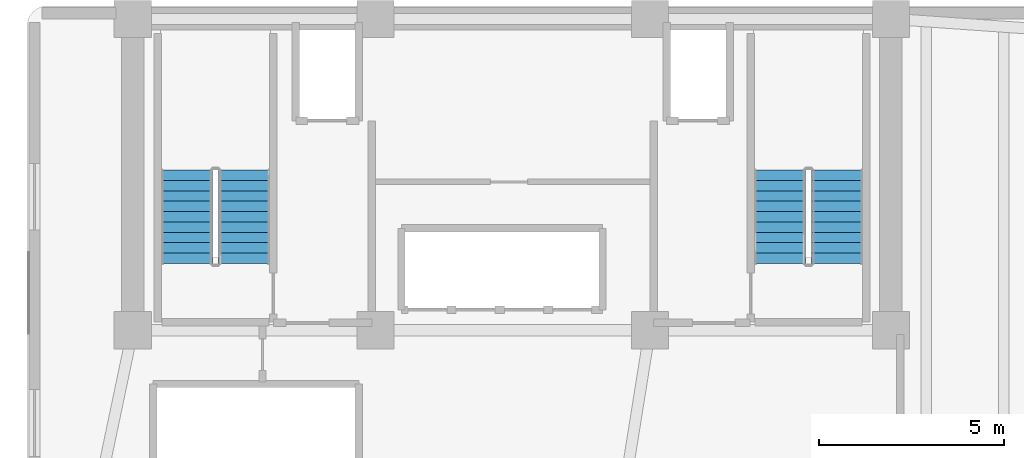
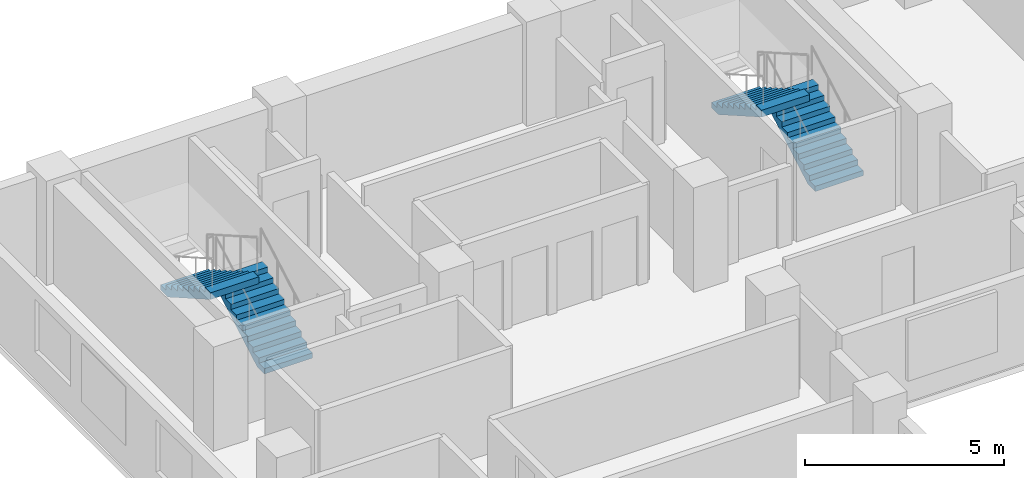
# One storey, part 5 of 7: 4 stair flights, 2 elements without a shape of their own.
"""IFC4 building model written with IfcOpenShell, lengths in metres."""

from ifc_helpers import new_model, si_unit, direction, frame, origin, place, context, subcontext, project, spatial, polyline, outline, extrude, material, type_object, element, aggregate, save


model = new_model("IFC4")

# Units and contexts
model_context = context("Model", 3, precision=1e-05, world=origin(), true_north=direction((0.0, 1.0)))
body_context = subcontext(model_context, "Body", "Model", "MODEL_VIEW")
ifc_project = project(units=[si_unit("LENGTHUNIT", "METRE"), si_unit("AREAUNIT", "SQUARE_METRE"), si_unit("VOLUMEUNIT", "CUBIC_METRE"), si_unit("PLANEANGLEUNIT", "RADIAN"), si_unit("MASSUNIT", "GRAM", prefix="KILO")], contexts=[model_context])

# Site, building, storey
site_placement = place(None, origin())
site = spatial("IfcSite", under=ifc_project, at=site_placement, CompositionType="ELEMENT")
building_placement = place(site_placement, origin())
building = spatial("IfcBuilding", under=site, at=building_placement, Name="Kuzgunbayir Cultural Tower", CompositionType="ELEMENT")
storey_placement = place(building_placement, frame((0.0, 0.0, 117.0)))
storey = spatial("IfcBuildingStorey", under=building, at=storey_placement, Name="L33", CompositionType="ELEMENT", Elevation=117.0)

# Stair, stair flights
ifc_material = material(Name="Concrete C40/50", Category="concrete")
stair_type = type_object("IfcStairType", Name="STR-EXIT-CORE", PredefinedType="HALF_TURN_STAIR", material=ifc_material)
stair_1_placement = place(storey_placement, origin())
stair_1 = element("IfcStair", 1, at=stair_1_placement, inside=storey, type_object=stair_type, Name="L33 ST-1", PredefinedType="HALF_TURN_STAIR")
stair_flight_type = type_object("IfcStairFlightType", Name="STRF-RC-140", PredefinedType="STRAIGHT", material=ifc_material)
stair_flight_1_placement = place(storey_placement, frame((9.4599609375, 35.60009765625, 0.0), z_axis=(0.0, 0.0, 1.0), x_axis=(0.0, 1.0, 0.0)))
stair_flight_1 = element("IfcStairFlight", 2, at=stair_flight_1_placement, type_object=stair_flight_type, Name="ST-1 flight 1", NumberOfRisers=10, NumberOfTreads=9, PredefinedType="STRAIGHT", RiserHeight=0.16, TreadLength=0.28, context=body_context, shape_type="SweptSolid", body=[
    extrude(outline(polyline([(0.0, 0.0), (0.0, 0.159912109375), (0.280029296875, 0.159912109375), (0.280029296875, 0.320068359375), (0.56005859375, 0.320068359375), (0.56005859375, 0.47998046875), (0.840087890625, 0.47998046875), (0.840087890625, 0.639892578125), (1.1201171875, 0.639892578125), (1.1201171875, 0.800048828125), (1.39990234375, 0.800048828125), (1.39990234375, 0.9599609375), (1.679931640625, 0.9599609375), (1.679931640625, 1.1201171875), (1.9599609375, 1.1201171875), (1.9599609375, 1.280029296875), (2.239990234375, 1.280029296875), (2.239990234375, 1.43994140625), (2.52001953125, 1.43994140625), (2.52001953125, 1.60009765625), (2.52001953125, 1.232666015625), (0.362548828125, 0.0), (0.0, 0.0)])), frame((0.0, 0.699951171875, 0.0), z_axis=(0.0, -1.0, 0.0), x_axis=(1.0, 0.0, 0.0)), (0.0, 0.0, 1.0), 1.39990234375),
])
stair_flight_2_placement = place(storey_placement, frame((7.89990234375, 38.1201171875, 1.60009765625), z_axis=(0.0, 0.0, 1.0), x_axis=(0.0, -1.0, 0.0)))
stair_flight_2 = element("IfcStairFlight", 3, at=stair_flight_2_placement, type_object=stair_flight_type, Name="ST-1 flight 2", NumberOfRisers=10, NumberOfTreads=9, PredefinedType="STRAIGHT", RiserHeight=0.16, TreadLength=0.28, context=body_context, shape_type="SweptSolid", body=[
    extrude(outline(polyline([(0.0, 0.0), (0.0, 0.159912109375), (0.280029296875, 0.159912109375), (0.280029296875, 0.320068359375), (0.56005859375, 0.320068359375), (0.56005859375, 0.47998046875), (0.840087890625, 0.47998046875), (0.840087890625, 0.639892578125), (1.1201171875, 0.639892578125), (1.1201171875, 0.800048828125), (1.39990234375, 0.800048828125), (1.39990234375, 0.9599609375), (1.679931640625, 0.9599609375), (1.679931640625, 1.1201171875), (1.9599609375, 1.1201171875), (1.9599609375, 1.280029296875), (2.239990234375, 1.280029296875), (2.239990234375, 1.43994140625), (2.52001953125, 1.43994140625), (2.52001953125, 1.60009765625), (2.52001953125, 1.232666015625), (0.362548828125, 0.0), (0.0, 0.0)])), frame((0.0, 0.699951171875, 0.0), z_axis=(0.0, -1.0, 0.0), x_axis=(1.0, 0.0, 0.0)), (0.0, 0.0, 1.0), 1.39990234375),
])
aggregate(stair_1, [stair_flight_1, stair_flight_2])

stair_2_placement = place(storey_placement, origin())
stair_2 = element("IfcStair", 4, at=stair_2_placement, inside=storey, type_object=stair_type, Name="L33 ST-2", PredefinedType="HALF_TURN_STAIR")
stair_flight_3_placement = place(storey_placement, frame((25.4599609375, 35.60009765625, 0.0), z_axis=(0.0, 0.0, 1.0), x_axis=(0.0, 1.0, 0.0)))
stair_flight_3 = element("IfcStairFlight", 5, at=stair_flight_3_placement, type_object=stair_flight_type, Name="ST-2 flight 1", NumberOfRisers=10, NumberOfTreads=9, PredefinedType="STRAIGHT", RiserHeight=0.16, TreadLength=0.28, context=body_context, shape_type="SweptSolid", body=[
    extrude(outline(polyline([(0.0, 0.0), (0.0, 0.159912109375), (0.280029296875, 0.159912109375), (0.280029296875, 0.320068359375), (0.56005859375, 0.320068359375), (0.56005859375, 0.47998046875), (0.840087890625, 0.47998046875), (0.840087890625, 0.639892578125), (1.1201171875, 0.639892578125), (1.1201171875, 0.800048828125), (1.39990234375, 0.800048828125), (1.39990234375, 0.9599609375), (1.679931640625, 0.9599609375), (1.679931640625, 1.1201171875), (1.9599609375, 1.1201171875), (1.9599609375, 1.280029296875), (2.239990234375, 1.280029296875), (2.239990234375, 1.43994140625), (2.52001953125, 1.43994140625), (2.52001953125, 1.60009765625), (2.52001953125, 1.232666015625), (0.362548828125, 0.0), (0.0, 0.0)])), frame((0.0, 0.699951171875, 0.0), z_axis=(0.0, -1.0, 0.0), x_axis=(1.0, 0.0, 0.0)), (0.0, 0.0, 1.0), 1.39990234375),
])
stair_flight_4_placement = place(storey_placement, frame((23.89990234375, 38.1201171875, 1.60009765625), z_axis=(0.0, 0.0, 1.0), x_axis=(0.0, -1.0, 0.0)))
stair_flight_4 = element("IfcStairFlight", 6, at=stair_flight_4_placement, type_object=stair_flight_type, Name="ST-2 flight 2", NumberOfRisers=10, NumberOfTreads=9, PredefinedType="STRAIGHT", RiserHeight=0.16, TreadLength=0.28, context=body_context, shape_type="SweptSolid", body=[
    extrude(outline(polyline([(0.0, 0.0), (0.0, 0.159912109375), (0.280029296875, 0.159912109375), (0.280029296875, 0.320068359375), (0.56005859375, 0.320068359375), (0.56005859375, 0.47998046875), (0.840087890625, 0.47998046875), (0.840087890625, 0.639892578125), (1.1201171875, 0.639892578125), (1.1201171875, 0.800048828125), (1.39990234375, 0.800048828125), (1.39990234375, 0.9599609375), (1.679931640625, 0.9599609375), (1.679931640625, 1.1201171875), (1.9599609375, 1.1201171875), (1.9599609375, 1.280029296875), (2.239990234375, 1.280029296875), (2.239990234375, 1.43994140625), (2.52001953125, 1.43994140625), (2.52001953125, 1.60009765625), (2.52001953125, 1.232666015625), (0.362548828125, 0.0), (0.0, 0.0)])), frame((0.0, 0.699951171875, 0.0), z_axis=(0.0, -1.0, 0.0), x_axis=(1.0, 0.0, 0.0)), (0.0, 0.0, 1.0), 1.39990234375),
])
aggregate(stair_2, [stair_flight_3, stair_flight_4])

save(model, "model.ifc")
